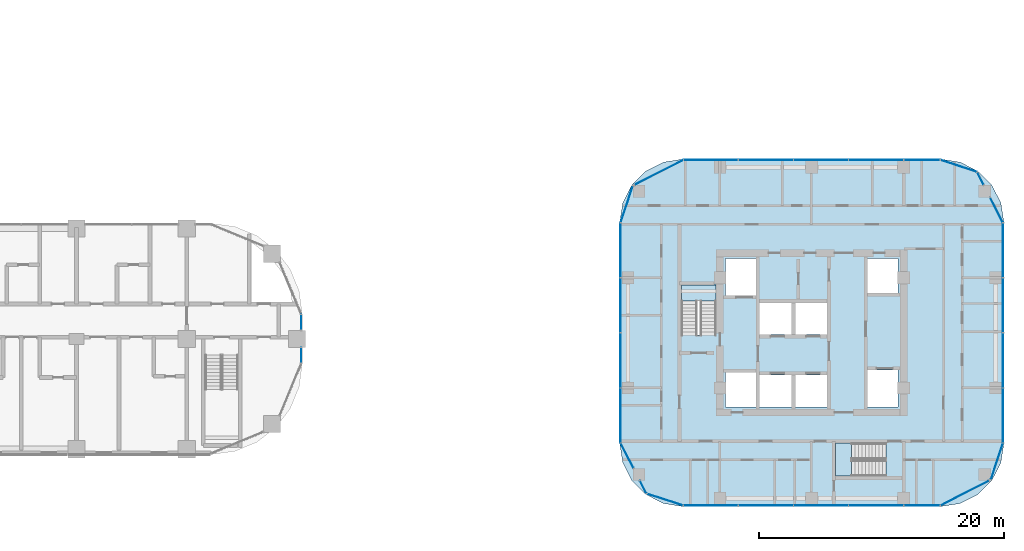
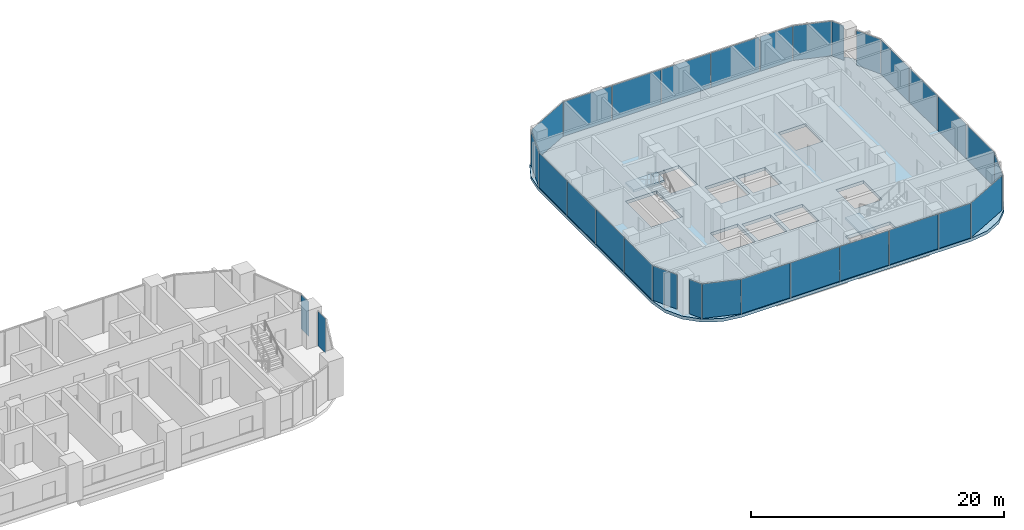
# One storey, part 15 of 31: 30 plates, 3 slabs, 16 elements without a shape of their own.
"""IFC4 building model written with IfcOpenShell, lengths in metres."""

from ifc_helpers import new_model, si_unit, direction, frame, origin, origin_2d, place, context, subcontext, project, spatial, polyline, rectangle, outline, extrude, material, layer, layer_set, type_object, element, aggregate, save


model = new_model("IFC4")

# Units and contexts
model_context = context("Model", 3, precision=1e-05, world=origin(), true_north=direction((0.0, 1.0)))
body_context = subcontext(model_context, "Body", "Model", "MODEL_VIEW")
ifc_project = project(units=[si_unit("LENGTHUNIT", "METRE"), si_unit("AREAUNIT", "SQUARE_METRE"), si_unit("VOLUMEUNIT", "CUBIC_METRE"), si_unit("PLANEANGLEUNIT", "RADIAN"), si_unit("MASSUNIT", "GRAM", prefix="KILO")], contexts=[model_context])

# Site, building, storey
site_placement = place(None, origin())
site = spatial("IfcSite", under=ifc_project, at=site_placement, CompositionType="ELEMENT")
building_placement = place(site_placement, origin())
building = spatial("IfcBuilding", under=site, at=building_placement, Name="Ogive Portal Towers", CompositionType="ELEMENT")
storey_placement = place(building_placement, frame((0.0, 0.0, 40.89990234375)))
storey = spatial("IfcBuildingStorey", under=building, at=storey_placement, Name="L08", CompositionType="ELEMENT", Elevation=40.89990234375)

# Curtain wall, plate
ifc_material_1 = material(Name="Glass, clear low-iron insulated glazing", Category="glass")
curtain_wall_type_1 = type_object("IfcCurtainWallType", Name="CW FRONT RIBBON 4500", PredefinedType="NOTDEFINED", material=ifc_material_1)
curtain_wall_1_placement = place(storey_placement, origin())
curtain_wall_1 = element("IfcCurtainWall", 1, at=curtain_wall_1_placement, inside=storey, type_object=curtain_wall_type_1, Name="A:L08:f24:cw0~0", PredefinedType="NOTDEFINED")
ifc_layer_1 = layer(ifc_material_1, 0.028076171875)
ifc_layer_set_1 = layer_set([ifc_layer_1], Name="CW PANEL IGU 28")
plate_type = type_object("IfcPlateType", Name="CW PANEL IGU 28", PredefinedType="CURTAIN_PANEL", material=ifc_layer_set_1)
plate_1_placement = place(storey_placement, frame((94.844970703125, 29.157958984375, 0.0), z_axis=(0.0, 0.0, 1.0), x_axis=(0.0, 1.0, 0.0)))
plate_1 = element("IfcPlate", 2, at=plate_1_placement, type_object=plate_type, Name="panel", PredefinedType="CURTAIN_PANEL", context=body_context, shape_type="SweptSolid", body=[
    extrude(rectangle(XDim=1.22412109375, YDim=0.028076171875, at=origin_2d()), origin(), (0.0, 0.0, 1.0), 3.340087890625),
])
aggregate(curtain_wall_1, [plate_1])

curtain_wall_2_placement = place(storey_placement, origin())
curtain_wall_2 = element("IfcCurtainWall", 3, at=curtain_wall_2_placement, inside=storey, type_object=curtain_wall_type_1, Name="A:L08:f24:cw0~1", PredefinedType="NOTDEFINED")
plate_2_placement = place(storey_placement, frame((94.844970703125, 31.842041015625, 0.0), z_axis=(0.0, 0.0, 1.0), x_axis=(0.0, 1.0, 0.0)))
plate_2 = element("IfcPlate", 4, at=plate_2_placement, type_object=plate_type, Name="panel", PredefinedType="CURTAIN_PANEL", context=body_context, shape_type="SweptSolid", body=[
    extrude(rectangle(XDim=1.22412109375, YDim=0.028076171875, at=origin_2d()), origin(), (0.0, 0.0, 1.0), 3.340087890625),
])
aggregate(curtain_wall_2, [plate_2])

# Curtain wall, plates
curtain_wall_type_2 = type_object("IfcCurtainWallType", Name="CW RESIDENCES RIBBON", PredefinedType="NOTDEFINED", material=ifc_material_1)
curtain_wall_3_placement = place(storey_placement, origin())
curtain_wall_3 = element("IfcCurtainWall", 5, at=curtain_wall_3_placement, inside=storey, type_object=curtain_wall_type_2, Name="B:L08:f02:cw0", PredefinedType="NOTDEFINED")
plate_3_placement = place(storey_placement, frame((128.25634765625, 16.89990234375, 0.0), z_axis=(0.0, 0.0, 1.0), x_axis=(1.0, 0.0, 0.0)))
plate_3 = element("IfcPlate", 6, at=plate_3_placement, type_object=plate_type, Name="panel", PredefinedType="CURTAIN_PANEL", context=body_context, shape_type="SweptSolid", body=[
    extrude(rectangle(XDim=4.42724609375, YDim=0.028076171875, at=origin_2d()), origin(), (0.0, 0.0, 1.0), 3.340087890625),
])
plate_4_placement = place(storey_placement, frame((132.75, 16.89990234375, 0.0), z_axis=(0.0, 0.0, 1.0), x_axis=(1.0, 0.0, 0.0)))
plate_4 = element("IfcPlate", 7, at=plate_4_placement, type_object=plate_type, Name="panel", PredefinedType="CURTAIN_PANEL", context=body_context, shape_type="SweptSolid", body=[
    extrude(rectangle(XDim=4.43994140625, YDim=0.028076171875, at=origin_2d()), origin(), (0.0, 0.0, 1.0), 3.340087890625),
])
plate_5_placement = place(storey_placement, frame((137.25, 16.89990234375, 0.0), z_axis=(0.0, 0.0, 1.0), x_axis=(1.0, 0.0, 0.0)))
plate_5 = element("IfcPlate", 8, at=plate_5_placement, type_object=plate_type, Name="panel", PredefinedType="CURTAIN_PANEL", context=body_context, shape_type="SweptSolid", body=[
    extrude(rectangle(XDim=4.43994140625, YDim=0.028076171875, at=origin_2d()), origin(), (0.0, 0.0, 1.0), 3.340087890625),
])
plate_6_placement = place(storey_placement, frame((141.75, 16.89990234375, 0.0), z_axis=(0.0, 0.0, 1.0), x_axis=(1.0, 0.0, 0.0)))
plate_6 = element("IfcPlate", 9, at=plate_6_placement, type_object=plate_type, Name="panel", PredefinedType="CURTAIN_PANEL", context=body_context, shape_type="SweptSolid", body=[
    extrude(rectangle(XDim=4.43994140625, YDim=0.028076171875, at=origin_2d()), origin(), (0.0, 0.0, 1.0), 3.340087890625),
])
plate_7_placement = place(storey_placement, frame((145.490478515625, 16.89990234375, 0.0), z_axis=(0.0, 0.0, 1.0), x_axis=(1.0, 0.0, 0.0)))
plate_7 = element("IfcPlate", 10, at=plate_7_placement, type_object=plate_type, Name="panel", PredefinedType="CURTAIN_PANEL", context=body_context, shape_type="SweptSolid", body=[
    extrude(rectangle(XDim=2.9208984375, YDim=0.028076171875, at=origin_2d()), origin(), (0.0, 0.0, 1.0), 3.340087890625),
])
aggregate(curtain_wall_3, [plate_3, plate_4, plate_5, plate_6, plate_7])

curtain_wall_4_placement = place(storey_placement, origin())
curtain_wall_4 = element("IfcCurtainWall", 11, at=curtain_wall_4_placement, inside=storey, type_object=curtain_wall_type_2, Name="B:L08:f05:cw0", PredefinedType="NOTDEFINED")
plate_8_placement = place(storey_placement, frame((152.10009765625, 24.25634765625, 0.0), z_axis=(0.0, 0.0, 1.0), x_axis=(0.0, 1.0, 0.0)))
plate_8 = element("IfcPlate", 12, at=plate_8_placement, type_object=plate_type, Name="panel", PredefinedType="CURTAIN_PANEL", context=body_context, shape_type="SweptSolid", body=[
    extrude(rectangle(XDim=4.42724609375, YDim=0.028076171875, at=origin_2d()), origin(), (0.0, 0.0, 1.0), 3.340087890625),
])
plate_9_placement = place(storey_placement, frame((152.10009765625, 28.75, 0.0), z_axis=(0.0, 0.0, 1.0), x_axis=(0.0, 1.0, 0.0)))
plate_9 = element("IfcPlate", 13, at=plate_9_placement, type_object=plate_type, Name="panel", PredefinedType="CURTAIN_PANEL", context=body_context, shape_type="SweptSolid", body=[
    extrude(rectangle(XDim=4.43994140625, YDim=0.028076171875, at=origin_2d()), origin(), (0.0, 0.0, 1.0), 3.340087890625),
])
plate_10_placement = place(storey_placement, frame((152.10009765625, 33.25, 0.0), z_axis=(0.0, 0.0, 1.0), x_axis=(0.0, 1.0, 0.0)))
plate_10 = element("IfcPlate", 14, at=plate_10_placement, type_object=plate_type, Name="panel", PredefinedType="CURTAIN_PANEL", context=body_context, shape_type="SweptSolid", body=[
    extrude(rectangle(XDim=4.43994140625, YDim=0.028076171875, at=origin_2d()), origin(), (0.0, 0.0, 1.0), 3.340087890625),
])
plate_11_placement = place(storey_placement, frame((152.10009765625, 37.740478515625, 0.0), z_axis=(0.0, 0.0, 1.0), x_axis=(0.0, 1.0, 0.0)))
plate_11 = element("IfcPlate", 15, at=plate_11_placement, type_object=plate_type, Name="panel", PredefinedType="CURTAIN_PANEL", context=body_context, shape_type="SweptSolid", body=[
    extrude(rectangle(XDim=4.4208984375, YDim=0.028076171875, at=origin_2d()), origin(), (0.0, 0.0, 1.0), 3.340087890625),
])
aggregate(curtain_wall_4, [plate_8, plate_9, plate_10, plate_11])

curtain_wall_5_placement = place(storey_placement, origin())
curtain_wall_5 = element("IfcCurtainWall", 16, at=curtain_wall_5_placement, inside=storey, type_object=curtain_wall_type_2, Name="B:L08:f08:cw0", PredefinedType="NOTDEFINED")
plate_12_placement = place(storey_placement, frame((145.49365234375, 45.10009765625, 0.0), z_axis=(0.0, 0.0, 1.0), x_axis=(-1.0, 0.0, 0.0)))
plate_12 = element("IfcPlate", 17, at=plate_12_placement, type_object=plate_type, Name="panel", PredefinedType="CURTAIN_PANEL", context=body_context, shape_type="SweptSolid", body=[
    extrude(rectangle(XDim=2.92724609375, YDim=0.028076171875, at=origin_2d()), origin(), (0.0, 0.0, 1.0), 3.340087890625),
])
plate_13_placement = place(storey_placement, frame((141.75, 45.10009765625, 0.0), z_axis=(0.0, 0.0, 1.0), x_axis=(-1.0, 0.0, 0.0)))
plate_13 = element("IfcPlate", 18, at=plate_13_placement, type_object=plate_type, Name="panel", PredefinedType="CURTAIN_PANEL", context=body_context, shape_type="SweptSolid", body=[
    extrude(rectangle(XDim=4.43994140625, YDim=0.028076171875, at=origin_2d()), origin(), (0.0, 0.0, 1.0), 3.340087890625),
])
plate_14_placement = place(storey_placement, frame((137.25, 45.10009765625, 0.0), z_axis=(0.0, 0.0, 1.0), x_axis=(-1.0, 0.0, 0.0)))
plate_14 = element("IfcPlate", 19, at=plate_14_placement, type_object=plate_type, Name="panel", PredefinedType="CURTAIN_PANEL", context=body_context, shape_type="SweptSolid", body=[
    extrude(rectangle(XDim=4.43994140625, YDim=0.028076171875, at=origin_2d()), origin(), (0.0, 0.0, 1.0), 3.340087890625),
])
plate_15_placement = place(storey_placement, frame((132.75, 45.10009765625, 0.0), z_axis=(0.0, 0.0, 1.0), x_axis=(-1.0, 0.0, 0.0)))
plate_15 = element("IfcPlate", 20, at=plate_15_placement, type_object=plate_type, Name="panel", PredefinedType="CURTAIN_PANEL", context=body_context, shape_type="SweptSolid", body=[
    extrude(rectangle(XDim=4.43994140625, YDim=0.028076171875, at=origin_2d()), origin(), (0.0, 0.0, 1.0), 3.340087890625),
])
plate_16_placement = place(storey_placement, frame((128.259521484375, 45.10009765625, 0.0), z_axis=(0.0, 0.0, 1.0), x_axis=(-1.0, 0.0, 0.0)))
plate_16 = element("IfcPlate", 21, at=plate_16_placement, type_object=plate_type, Name="panel", PredefinedType="CURTAIN_PANEL", context=body_context, shape_type="SweptSolid", body=[
    extrude(rectangle(XDim=4.4208984375, YDim=0.028076171875, at=origin_2d()), origin(), (0.0, 0.0, 1.0), 3.340087890625),
])
aggregate(curtain_wall_5, [plate_12, plate_13, plate_14, plate_15, plate_16])

curtain_wall_6_placement = place(storey_placement, origin())
curtain_wall_6 = element("IfcCurtainWall", 22, at=curtain_wall_6_placement, inside=storey, type_object=curtain_wall_type_2, Name="B:L08:f11:cw0", PredefinedType="NOTDEFINED")
plate_17_placement = place(storey_placement, frame((120.89990234375, 37.74365234375, 0.0), z_axis=(0.0, 0.0, 1.0), x_axis=(0.0, -1.0, 0.0)))
plate_17 = element("IfcPlate", 23, at=plate_17_placement, type_object=plate_type, Name="panel", PredefinedType="CURTAIN_PANEL", context=body_context, shape_type="SweptSolid", body=[
    extrude(rectangle(XDim=4.42724609375, YDim=0.028076171875, at=origin_2d()), origin(), (0.0, 0.0, 1.0), 3.340087890625),
])
plate_18_placement = place(storey_placement, frame((120.89990234375, 33.25, 0.0), z_axis=(0.0, 0.0, 1.0), x_axis=(0.0, -1.0, 0.0)))
plate_18 = element("IfcPlate", 24, at=plate_18_placement, type_object=plate_type, Name="panel", PredefinedType="CURTAIN_PANEL", context=body_context, shape_type="SweptSolid", body=[
    extrude(rectangle(XDim=4.43994140625, YDim=0.028076171875, at=origin_2d()), origin(), (0.0, 0.0, 1.0), 3.340087890625),
])
plate_19_placement = place(storey_placement, frame((120.89990234375, 28.75, 0.0), z_axis=(0.0, 0.0, 1.0), x_axis=(0.0, -1.0, 0.0)))
plate_19 = element("IfcPlate", 25, at=plate_19_placement, type_object=plate_type, Name="panel", PredefinedType="CURTAIN_PANEL", context=body_context, shape_type="SweptSolid", body=[
    extrude(rectangle(XDim=4.43994140625, YDim=0.028076171875, at=origin_2d()), origin(), (0.0, 0.0, 1.0), 3.340087890625),
])
plate_20_placement = place(storey_placement, frame((120.89990234375, 24.259521484375, 0.0), z_axis=(0.0, 0.0, 1.0), x_axis=(0.0, -1.0, 0.0)))
plate_20 = element("IfcPlate", 26, at=plate_20_placement, type_object=plate_type, Name="panel", PredefinedType="CURTAIN_PANEL", context=body_context, shape_type="SweptSolid", body=[
    extrude(rectangle(XDim=4.4208984375, YDim=0.028076171875, at=origin_2d()), origin(), (0.0, 0.0, 1.0), 3.340087890625),
])
aggregate(curtain_wall_6, [plate_17, plate_18, plate_19, plate_20])

# Curtain wall, plate
curtain_wall_7_placement = place(storey_placement, origin())
curtain_wall_7 = element("IfcCurtainWall", 27, at=curtain_wall_7_placement, inside=storey, type_object=curtain_wall_type_2, Name="B:L08:f00:cwa~0", PredefinedType="NOTDEFINED")
plate_21_placement = place(storey_placement, frame((121.42919921875, 20.980712890625, 0.0), z_axis=(0.0, 0.0, 1.0), x_axis=(0.45399049974, -0.891006524188, 0.0)))
plate_21 = element("IfcPlate", 28, at=plate_21_placement, type_object=plate_type, Name="panel", PredefinedType="CURTAIN_PANEL", context=body_context, shape_type="SweptSolid", body=[
    extrude(rectangle(XDim=2.271240234375, YDim=0.028076171875, at=origin_2d()), origin(), (0.0, 0.0, 1.0), 3.340087890625),
])
aggregate(curtain_wall_7, [plate_21])

# Curtain wall, plates
curtain_wall_8_placement = place(storey_placement, origin())
curtain_wall_8 = element("IfcCurtainWall", 29, at=curtain_wall_8_placement, inside=storey, type_object=curtain_wall_type_2, Name="B:L08:f00:cwa~1", PredefinedType="NOTDEFINED")
plate_22_placement = place(storey_placement, frame((122.73974609375, 18.408447265625, 0.0), z_axis=(0.0, 0.0, 1.0), x_axis=(0.45399049974, -0.891006524188, 0.0)))
plate_22 = element("IfcPlate", 30, at=plate_22_placement, type_object=plate_type, Name="panel", PredefinedType="CURTAIN_PANEL", context=body_context, shape_type="SweptSolid", body=[
    extrude(rectangle(XDim=1.137451171875, YDim=0.028076171875, at=origin_2d()), origin(), (0.0, 0.0, 1.0), 3.340087890625),
])
plate_23_placement = place(storey_placement, frame((124.51220703125, 17.387451171875, 0.0), z_axis=(0.0, 0.0, 1.0), x_axis=(0.951056516295, -0.309016994375, 0.0)))
plate_23 = element("IfcPlate", 31, at=plate_23_placement, type_object=plate_type, Name="panel", PredefinedType="CURTAIN_PANEL", context=body_context, shape_type="SweptSolid", body=[
    extrude(rectangle(XDim=3.095703125, YDim=0.028076171875, at=origin_2d()), origin(), (0.0, 0.0, 1.0), 3.340087890625),
])
aggregate(curtain_wall_8, [plate_22, plate_23])

# Curtain wall, plate
curtain_wall_9_placement = place(storey_placement, origin())
curtain_wall_9 = element("IfcCurtainWall", 32, at=curtain_wall_9_placement, inside=storey, type_object=curtain_wall_type_2, Name="B:L08:f03:cwa~0", PredefinedType="NOTDEFINED")
plate_24_placement = place(storey_placement, frame((148.984619140625, 17.9208984375, 0.0), z_axis=(0.0, 0.0, 1.0), x_axis=(0.891006524188, 0.45399049974, 0.0)))
plate_24 = element("IfcPlate", 33, at=plate_24_placement, type_object=plate_type, Name="panel", PredefinedType="CURTAIN_PANEL", context=body_context, shape_type="SweptSolid", body=[
    extrude(rectangle(XDim=4.43798828125, YDim=0.028076171875, at=origin_2d()), origin(), (0.0, 0.0, 1.0), 3.340087890625),
])
aggregate(curtain_wall_9, [plate_24])

curtain_wall_10_placement = place(storey_placement, origin())
curtain_wall_10 = element("IfcCurtainWall", 34, at=curtain_wall_10_placement, inside=storey, type_object=curtain_wall_type_2, Name="B:L08:f03:cwa~1", PredefinedType="NOTDEFINED")
plate_25_placement = place(storey_placement, frame((151.599609375, 20.505615234375, 0.0), z_axis=(0.0, 0.0, 1.0), x_axis=(0.315156488428, 0.949039718769, 0.0)))
plate_25 = element("IfcPlate", 35, at=plate_25_placement, type_object=plate_type, Name="panel", PredefinedType="CURTAIN_PANEL", context=body_context, shape_type="SweptSolid", body=[
    extrude(rectangle(XDim=3.1162109375, YDim=0.028076171875, at=origin_2d()), origin(), (0.0, 0.0, 1.0), 3.340087890625),
])
aggregate(curtain_wall_10, [plate_25])

curtain_wall_11_placement = place(storey_placement, origin())
curtain_wall_11 = element("IfcCurtainWall", 36, at=curtain_wall_11_placement, inside=storey, type_object=curtain_wall_type_2, Name="B:L08:f06:cwa~0", PredefinedType="NOTDEFINED")
plate_26_placement = place(storey_placement, frame((151.57080078125, 41.019287109375, 0.0), z_axis=(0.0, 0.0, 1.0), x_axis=(-0.45399049974, 0.891006524188, 0.0)))
plate_26 = element("IfcPlate", 37, at=plate_26_placement, type_object=plate_type, Name="panel", PredefinedType="CURTAIN_PANEL", context=body_context, shape_type="SweptSolid", body=[
    extrude(rectangle(XDim=2.271240234375, YDim=0.028076171875, at=origin_2d()), origin(), (0.0, 0.0, 1.0), 3.340087890625),
])
aggregate(curtain_wall_11, [plate_26])

# Curtain wall, plates
curtain_wall_12_placement = place(storey_placement, origin())
curtain_wall_12 = element("IfcCurtainWall", 38, at=curtain_wall_12_placement, inside=storey, type_object=curtain_wall_type_2, Name="B:L08:f06:cwa~1", PredefinedType="NOTDEFINED")
plate_27_placement = place(storey_placement, frame((150.26025390625, 43.591552734375, 0.0), z_axis=(0.0, 0.0, 1.0), x_axis=(-0.45399049974, 0.891006524188, 0.0)))
plate_27 = element("IfcPlate", 39, at=plate_27_placement, type_object=plate_type, Name="panel", PredefinedType="CURTAIN_PANEL", context=body_context, shape_type="SweptSolid", body=[
    extrude(rectangle(XDim=1.137451171875, YDim=0.028076171875, at=origin_2d()), origin(), (0.0, 0.0, 1.0), 3.340087890625),
])
plate_28_placement = place(storey_placement, frame((148.48779296875, 44.612548828125, 0.0), z_axis=(0.0, 0.0, 1.0), x_axis=(-0.951056516295, 0.309016994375, 0.0)))
plate_28 = element("IfcPlate", 40, at=plate_28_placement, type_object=plate_type, Name="panel", PredefinedType="CURTAIN_PANEL", context=body_context, shape_type="SweptSolid", body=[
    extrude(rectangle(XDim=3.095703125, YDim=0.028076171875, at=origin_2d()), origin(), (0.0, 0.0, 1.0), 3.340087890625),
])
aggregate(curtain_wall_12, [plate_27, plate_28])

# Curtain wall, plate
curtain_wall_13_placement = place(storey_placement, origin())
curtain_wall_13 = element("IfcCurtainWall", 41, at=curtain_wall_13_placement, inside=storey, type_object=curtain_wall_type_2, Name="B:L08:f09:cwa~0", PredefinedType="NOTDEFINED")
plate_29_placement = place(storey_placement, frame((124.015380859375, 44.0791015625, 0.0), z_axis=(0.0, 0.0, 1.0), x_axis=(-0.891006524188, -0.45399049974, 0.0)))
plate_29 = element("IfcPlate", 42, at=plate_29_placement, type_object=plate_type, Name="panel", PredefinedType="CURTAIN_PANEL", context=body_context, shape_type="SweptSolid", body=[
    extrude(rectangle(XDim=4.43798828125, YDim=0.028076171875, at=origin_2d()), origin(), (0.0, 0.0, 1.0), 3.340087890625),
])
aggregate(curtain_wall_13, [plate_29])

curtain_wall_14_placement = place(storey_placement, origin())
curtain_wall_14 = element("IfcCurtainWall", 43, at=curtain_wall_14_placement, inside=storey, type_object=curtain_wall_type_2, Name="B:L08:f09:cwa~1", PredefinedType="NOTDEFINED")
plate_30_placement = place(storey_placement, frame((121.400390625, 41.494384765625, 0.0), z_axis=(0.0, 0.0, 1.0), x_axis=(-0.315156488428, -0.949039718769, 0.0)))
plate_30 = element("IfcPlate", 44, at=plate_30_placement, type_object=plate_type, Name="panel", PredefinedType="CURTAIN_PANEL", context=body_context, shape_type="SweptSolid", body=[
    extrude(rectangle(XDim=3.1162109375, YDim=0.028076171875, at=origin_2d()), origin(), (0.0, 0.0, 1.0), 3.340087890625),
])
aggregate(curtain_wall_14, [plate_30])

# Stair, slab
ifc_material_2 = material(Name="Concrete C40/50", Category="concrete")
stair_type = type_object("IfcStairType", Name="INT-STAIR", PredefinedType="HALF_TURN_STAIR", material=ifc_material_2)
stair_1_placement = place(storey_placement, origin())
stair_1 = element("IfcStair", 45, at=stair_1_placement, inside=storey, type_object=stair_type, Name="L08 Exit Stair ST-B1", PredefinedType="HALF_TURN_STAIR")
ifc_layer_2 = layer(ifc_material_2, 0.199951171875)
ifc_layer_set_2 = layer_set([ifc_layer_2], Name="INT-LANDING")
slab_type_1 = type_object("IfcSlabType", Name="INT-LANDING", PredefinedType="LANDING", material=ifc_layer_set_2)
slab_1_placement = place(storey_placement, frame((0.0, 0.0, 1.650146484375)))
slab_1 = element("IfcSlab", 46, at=slab_1_placement, type_object=slab_type_1, Name="ST-B1 landing 1", PredefinedType="LANDING", context=body_context, shape_type="SweptSolid", body=[
    extrude(outline(polyline([(128.699951171875, 33.60009765625), (128.699951171875, 34.89990234375), (125.85009765625, 34.89990234375), (125.85009765625, 33.60009765625), (128.699951171875, 33.60009765625)])), origin(), (0.0, 0.0, 1.0), 0.199951171875),
])
aggregate(stair_1, [slab_1])

stair_2_placement = place(storey_placement, origin())
stair_2 = element("IfcStair", 47, at=stair_2_placement, inside=storey, type_object=stair_type, Name="L08 Exit Stair ST-B2", PredefinedType="HALF_TURN_STAIR")
slab_2_placement = place(storey_placement, frame((0.0, 0.0, 1.650146484375)))
slab_2 = element("IfcSlab", 48, at=slab_2_placement, type_object=slab_type_1, Name="ST-B2 landing 1", PredefinedType="LANDING", context=body_context, shape_type="SweptSolid", body=[
    extrude(outline(polyline([(139.75, 22.0), (138.449951171875, 22.0), (138.449951171875, 19.300048828125), (139.75, 19.300048828125), (139.75, 22.0)])), origin(), (0.0, 0.0, 1.0), 0.199951171875),
])
aggregate(stair_2, [slab_2])

# Slab
ifc_material_3 = material(Name="Concrete C45/55", Category="concrete")
ifc_layer_3 = layer(ifc_material_3, 0.300048828125)
ifc_layer_set_3 = layer_set([ifc_layer_3], Name="PT FLAT PLATE 300")
slab_type_2 = type_object("IfcSlabType", Name="PT FLAT PLATE 300", PredefinedType="FLOOR", material=ifc_layer_set_3)
slab_3_placement = place(storey_placement, frame((0.0, 0.0, -0.2998046875)))
element("IfcSlab", 49, at=slab_3_placement, inside=storey, type_object=slab_type_2, Name="Floor slab L08", PredefinedType="FLOOR", context=body_context, shape_type="SweptSolid", body=[
    extrude(outline(polyline([(120.820068359375, 40.0), (120.820068359375, 22.0), (121.073486328125, 20.3994140625), (121.809326171875, 18.955322265625), (122.955322265625, 17.809326171875), (124.3994140625, 17.073486328125), (126.0, 16.820068359375), (147.0, 16.820068359375), (148.6005859375, 17.073486328125), (150.044677734375, 17.809326171875), (151.190673828125, 18.955322265625), (151.926513671875, 20.3994140625), (152.179931640625, 22.0), (152.179931640625, 40.0), (151.926513671875, 41.6005859375), (151.190673828125, 43.044677734375), (150.044677734375, 44.190673828125), (148.6005859375, 44.926513671875), (147.0, 45.179931640625), (126.0, 45.179931640625), (124.3994140625, 44.926513671875), (122.955322265625, 44.190673828125), (121.809326171875, 43.044677734375), (121.073486328125, 41.6005859375), (120.820068359375, 40.0)]), holes=[polyline([(131.949951171875, 27.75), (131.949951171875, 24.949951171875), (129.449951171875, 24.949951171875), (129.449951171875, 27.75), (131.949951171875, 27.75)]), polyline([(128.697998046875, 34.89794921875), (128.697998046875, 30.802001953125), (125.85205078125, 30.802001953125), (125.85205078125, 34.89794921875), (128.697998046875, 34.89794921875)]), polyline([(131.949951171875, 37.050048828125), (131.949951171875, 34.050048828125), (129.449951171875, 34.050048828125), (129.449951171875, 37.050048828125), (131.949951171875, 37.050048828125)]), polyline([(138.451904296875, 21.998046875), (142.548095703125, 21.998046875), (142.548095703125, 19.302001953125), (138.451904296875, 19.302001953125), (138.451904296875, 21.998046875)]), polyline([(134.85009765625, 27.550048828125), (134.85009765625, 24.949951171875), (132.25, 24.949951171875), (132.25, 27.550048828125), (134.85009765625, 27.550048828125)]), polyline([(137.75, 27.550048828125), (137.75, 24.949951171875), (135.14990234375, 24.949951171875), (135.14990234375, 27.550048828125), (137.75, 27.550048828125)]), polyline([(143.550048828125, 27.949951171875), (143.550048828125, 24.949951171875), (141.050048828125, 24.949951171875), (141.050048828125, 27.949951171875), (143.550048828125, 27.949951171875)]), polyline([(134.85009765625, 33.449951171875), (134.85009765625, 30.85009765625), (132.25, 30.85009765625), (132.25, 33.449951171875), (134.85009765625, 33.449951171875)]), polyline([(137.75, 33.449951171875), (137.75, 30.85009765625), (135.14990234375, 30.85009765625), (135.14990234375, 33.449951171875), (137.75, 33.449951171875)]), polyline([(141.050048828125, 37.050048828125), (143.550048828125, 37.050048828125), (143.550048828125, 34.25), (141.050048828125, 34.25), (141.050048828125, 37.050048828125)])]), origin(), (0.0, 0.0, 1.0), 0.2998046875),
])

save(model, "model.ifc")
